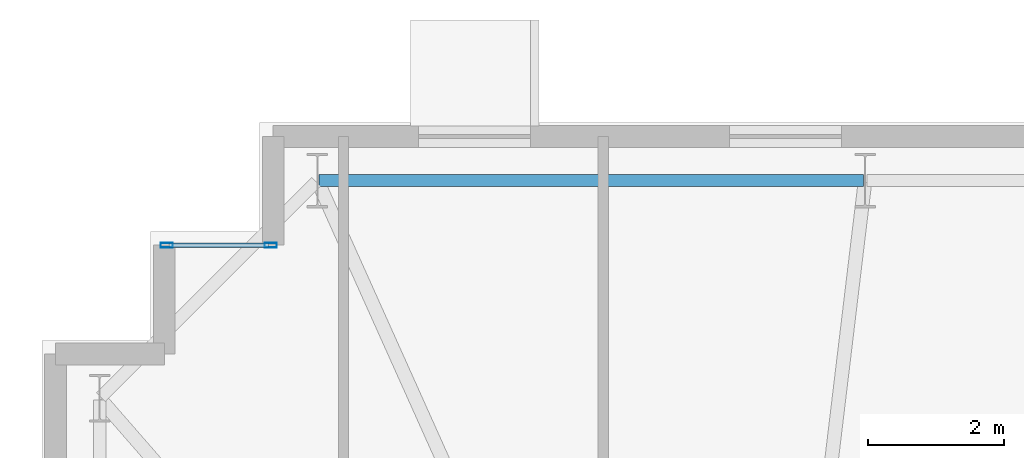
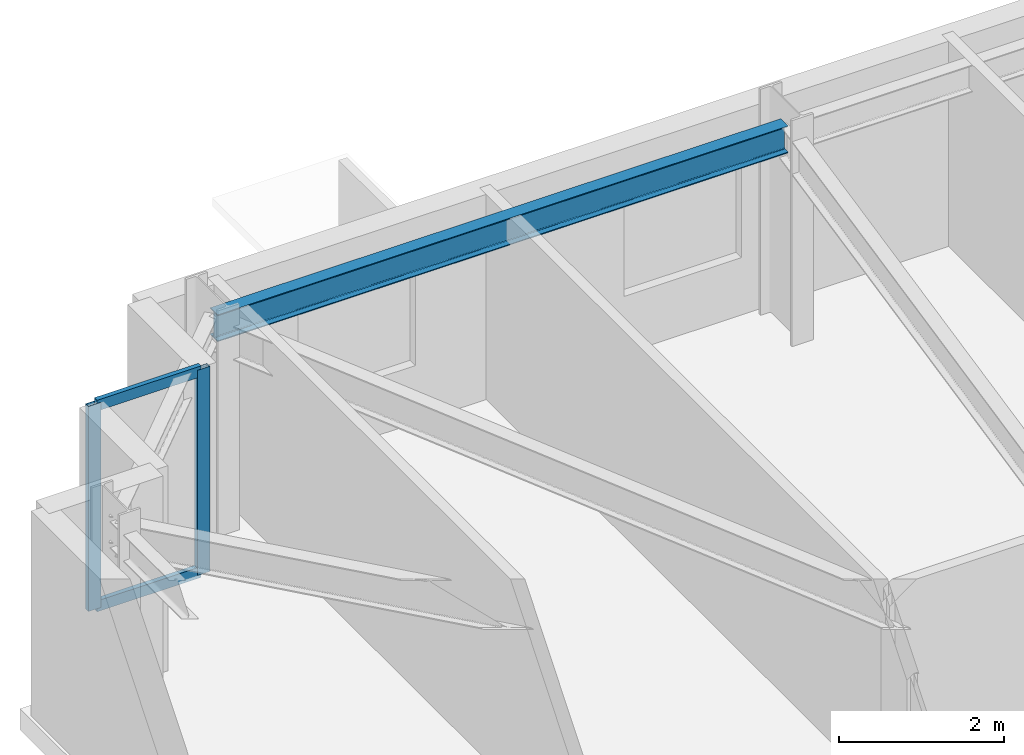
# One storey, part 7 of 17: 4 members, 1 beam, 1 element without a shape of its own.
"""IFC4 building model written with IfcOpenShell, lengths in metres."""

from ifc_helpers import new_model, si_unit, direction, frame, origin, origin_2d, place, context, subcontext, project, spatial, hollow_rectangle, i_section, extrude, material, layer, layer_set, material_profile, profile_set, type_object, element, aggregate, save


model = new_model("IFC4")

# Units and contexts
model_context = context("Model", 3, precision=1e-05, world=origin(), true_north=direction((0.0, 1.0)))
body_context = subcontext(model_context, "Body", "Model", "MODEL_VIEW")
ifc_project = project(units=[si_unit("LENGTHUNIT", "METRE"), si_unit("AREAUNIT", "SQUARE_METRE"), si_unit("VOLUMEUNIT", "CUBIC_METRE"), si_unit("PLANEANGLEUNIT", "RADIAN"), si_unit("MASSUNIT", "GRAM", prefix="KILO")], contexts=[model_context])

# Site, building, storey
site_placement = place(None, origin())
site = spatial("IfcSite", under=ifc_project, at=site_placement, CompositionType="ELEMENT")
building_placement = place(site_placement, origin())
building = spatial("IfcBuilding", under=site, at=building_placement, Name="Qobustan Lattice House", CompositionType="ELEMENT")
storey_placement = place(building_placement, frame((0.0, 0.0, 157.800048828125)))
storey = spatial("IfcBuildingStorey", under=building, at=storey_placement, Name="L44", CompositionType="ELEMENT", Elevation=157.800048828125)

# Beam
ifc_material_1 = material(Name="Steel S355", Category="steel")
ifc_material_profile_1 = material_profile(ifc_material_1, i_section(OverallWidth=0.179931640625, OverallDepth=0.39990234375, WebThickness=0.008544921875, FlangeThickness=0.013427734375, FilletRadius=0.02099609375, at=origin_2d()), Name="IPE400")
ifc_profile_set_1 = profile_set([ifc_material_profile_1], Name="Steel S355")
beam_type = type_object("IfcBeamType", Name="BM-SPD-IPE400", PredefinedType="SPANDREL", material=ifc_profile_set_1)
beam_placement = place(storey_placement, frame((-17.125, 19.75, 2.83984375), z_axis=(-1.0, 0.0, 0.0), x_axis=(0.0, -1.0, 0.0)))
element("IfcBeam", 1, at=beam_placement, inside=storey, type_object=beam_type, Name="L44 perimeter spandrel N6-N7", PredefinedType="SPANDREL", context=body_context, shape_type="SweptSolid", body=[
    extrude(i_section(OverallWidth=0.179931640625, OverallDepth=0.39990234375, WebThickness=0.008544921875, FlangeThickness=0.013427734375, FilletRadius=0.02099609375, at=origin_2d()), origin(), (0.0, 0.0, 1.0), 8.0),
])

# Curtain wall, members
ifc_material_2 = material(Name="Anodised aluminium and low-E glazing", Category="aluminium")
ifc_layer = layer(ifc_material_2, 0.219970703125)
ifc_layer_set = layer_set([ifc_layer], Name="Anodised aluminium and low-E glazing")
curtain_wall_type = type_object("IfcCurtainWallType", Name="CW-FAC-02", PredefinedType="USERDEFINED", material=ifc_layer_set)
curtain_wall_placement = place(storey_placement, origin())
curtain_wall = element("IfcCurtainWall", 2, at=curtain_wall_placement, inside=storey, type_object=curtain_wall_type, Name="L44 serrated corner faceted glazing 8", ObjectType="CURTAIN WALL", PredefinedType="USERDEFINED")
ifc_material_3 = material(Name="Anodised aluminium EN AW-6063 T6", Category="aluminium")
ifc_material_profile_2 = material_profile(ifc_material_3, hollow_rectangle(XDim=0.070068359375, YDim=0.179931640625, WallThickness=0.00439453125, at=origin_2d()), Name="CWM-180x70")
ifc_profile_set_2 = profile_set([ifc_material_profile_2], Name="Anodised aluminium EN AW-6063 T6")
member_type_1 = type_object("IfcMemberType", Name="CWM-STD-180", PredefinedType="MULLION", material=ifc_profile_set_2)
member_1_placement = place(storey_placement, frame((-27.364990234375, 18.800048828125, 0.0), z_axis=(0.0, 0.0, 1.0), x_axis=(0.0, 1.0, 0.0)))
member_1 = element("IfcMember", 3, at=member_1_placement, type_object=member_type_1, Name="CW-F2 mullion 1", PredefinedType="MULLION", context=body_context, shape_type="SweptSolid", body=[
    extrude(hollow_rectangle(XDim=0.070068359375, YDim=0.179931640625, WallThickness=0.00439453125, at=origin_2d()), origin(), (0.0, 0.0, 1.0), 3.0400390625),
])
member_2_placement = place(storey_placement, frame((-25.8349609375, 18.800048828125, 0.0), z_axis=(0.0, 0.0, 1.0), x_axis=(0.0, 1.0, 0.0)))
member_2 = element("IfcMember", 4, at=member_2_placement, type_object=member_type_1, Name="CW-F2 mullion 2", PredefinedType="MULLION", context=body_context, shape_type="SweptSolid", body=[
    extrude(hollow_rectangle(XDim=0.070068359375, YDim=0.179931640625, WallThickness=0.00439453125, at=origin_2d()), origin(), (0.0, 0.0, 1.0), 3.0400390625),
])
ifc_material_4 = material(Name="Anodised aluminium EN AW-6063 T6", Category="aluminium")
ifc_material_profile_3 = material_profile(ifc_material_4, hollow_rectangle(XDim=0.06494140625, YDim=0.159912109375, WallThickness=0.00390625, at=origin_2d()), Name="CWT-160x65")
ifc_profile_set_3 = profile_set([ifc_material_profile_3], Name="Anodised aluminium EN AW-6063 T6")
member_type_2 = type_object("IfcMemberType", Name="CWT-HOR-160", PredefinedType="USERDEFINED", material=ifc_profile_set_3)
member_3_placement = place(storey_placement, frame((-27.330078125, 18.800048828125, 0.032470703125), z_axis=(1.0, 0.0, 0.0), x_axis=(0.0, 1.0, 0.0)))
member_3 = element("IfcMember", 5, at=member_3_placement, type_object=member_type_2, Name="CW-F2 transom 1.1", ObjectType="TRANSOM", PredefinedType="USERDEFINED", context=body_context, shape_type="SweptSolid", body=[
    extrude(hollow_rectangle(XDim=0.06494140625, YDim=0.159912109375, WallThickness=0.00390625, at=origin_2d()), origin(), (0.0, 0.0, 1.0), 1.4599609375),
])
member_4_placement = place(storey_placement, frame((-27.330078125, 18.800048828125, 3.007568359375), z_axis=(1.0, 0.0, 0.0), x_axis=(0.0, 1.0, 0.0)))
member_4 = element("IfcMember", 6, at=member_4_placement, type_object=member_type_2, Name="CW-F2 transom 1.2", ObjectType="TRANSOM", PredefinedType="USERDEFINED", context=body_context, shape_type="SweptSolid", body=[
    extrude(hollow_rectangle(XDim=0.06494140625, YDim=0.159912109375, WallThickness=0.00390625, at=origin_2d()), origin(), (0.0, 0.0, 1.0), 1.4599609375),
])
aggregate(curtain_wall, [member_1, member_2, member_3, member_4])

save(model, "model.ifc")
